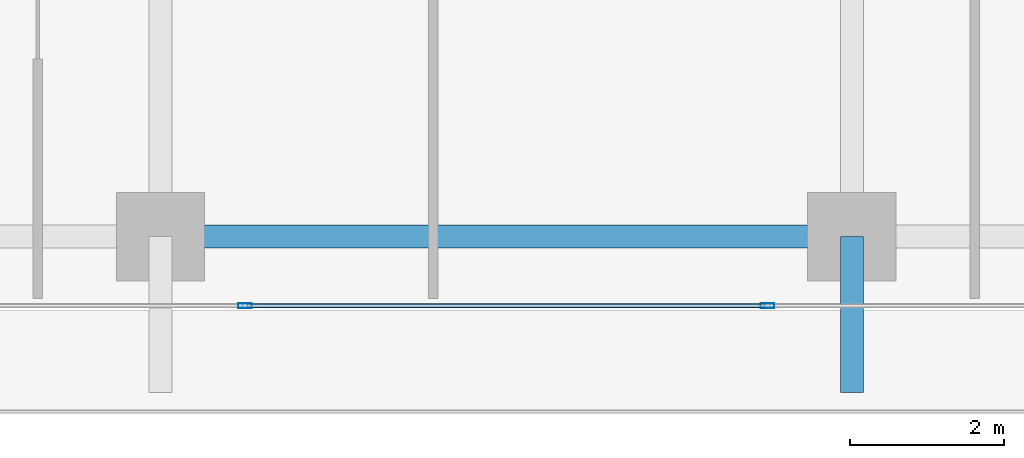
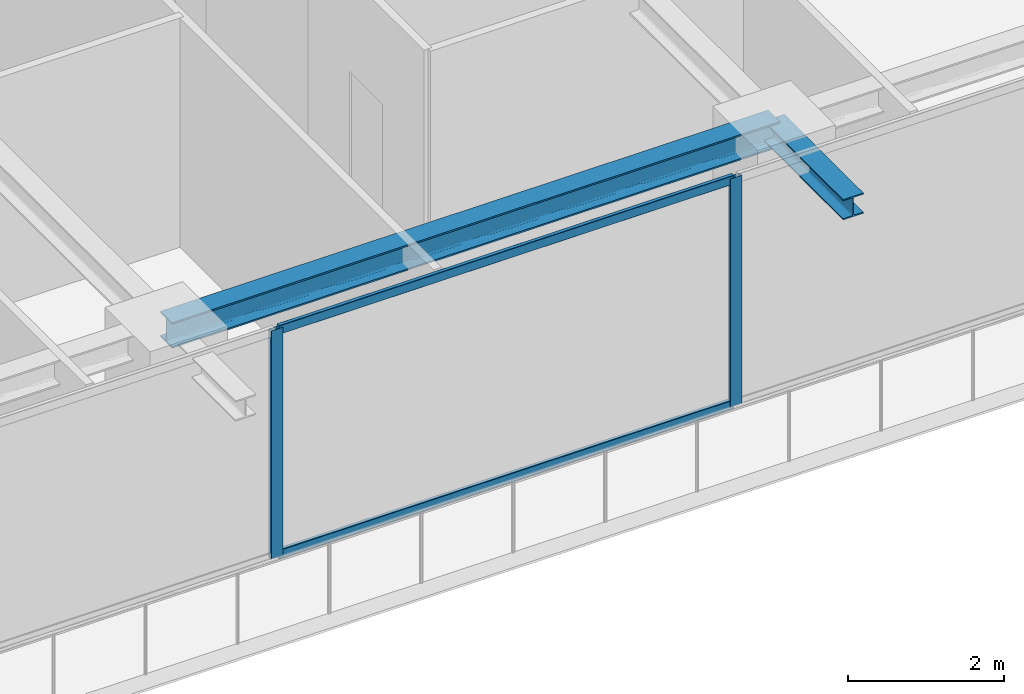
# One storey, part 5 of 37: 4 members, 2 beams, 1 element without a shape of its own.
"""IFC4 building model written with IfcOpenShell, lengths in metres."""

from ifc_helpers import new_model, si_unit, direction, frame, origin, origin_2d, place, context, subcontext, project, spatial, hollow_rectangle, i_section, extrude, source, transform, mapped, material, layer, layer_set, material_profile, profile_set, type_object, element, aggregate, save


model = new_model("IFC4")

# Units and contexts
model_context = context("Model", 3, precision=1e-05, world=origin(), true_north=direction((0.0, 1.0)))
body_context = subcontext(model_context, "Body", "Model", "MODEL_VIEW")
ifc_project = project(units=[si_unit("LENGTHUNIT", "METRE"), si_unit("AREAUNIT", "SQUARE_METRE"), si_unit("VOLUMEUNIT", "CUBIC_METRE"), si_unit("PLANEANGLEUNIT", "RADIAN"), si_unit("MASSUNIT", "GRAM", prefix="KILO")], contexts=[model_context])

# Site, building, storey
site_placement = place(None, origin())
site = spatial("IfcSite", under=ifc_project, at=site_placement, CompositionType="ELEMENT")
building_placement = place(site_placement, origin())
building = spatial("IfcBuilding", under=site, at=building_placement, Name="Serunith Strait Residences", CompositionType="ELEMENT")
storey_placement = place(building_placement, frame((0.0, 0.0, 233.550048828125)))
storey = spatial("IfcBuildingStorey", under=building, at=storey_placement, Name="L58", CompositionType="ELEMENT", Elevation=233.550048828125)

# Beams
ifc_material_1 = material(Name="Steel S355J2", Category="steel")
ifc_material_profile_1 = material_profile(ifc_material_1, i_section(OverallWidth=0.300048828125, OverallDepth=0.39990234375, WebThickness=0.013427734375, FlangeThickness=0.02392578125, FilletRadius=0.027099609375, at=origin_2d()), Name="HEB 400")
ifc_profile_set_1 = profile_set([ifc_material_profile_1], Name="Steel S355J2")
beam_type_1 = type_object("IfcBeamType", Name="BM-HEB400", PredefinedType="BEAM", material=ifc_profile_set_1)
shared_shape_1 = source(origin(), body_context, "Body", "SweptSolid", [
    extrude(i_section(OverallWidth=0.300048828125, OverallDepth=0.39990234375, WebThickness=0.013427734375, FlangeThickness=0.02392578125, FilletRadius=0.027099609375, at=origin_2d()), origin(), (0.0, 0.0, 1.0), 9.0),
])
beam_1_placement = place(storey_placement, frame((27.89990234375, 2.10009765625, 3.386962890625), z_axis=(1.0, 0.0, 0.0), x_axis=(0.0, 1.0, 0.0)))
element("IfcBeam", 1, at=beam_1_placement, inside=storey, type_object=beam_type_1, Name="L58 Perimeter Ring Beam 02", PredefinedType="BEAM", context=body_context, shape_type="MappedRepresentation", body=[
    mapped(shared_shape_1, transform((0.0, 0.0, 0.0), scale=1.0)),
])
ifc_material_profile_2 = material_profile(ifc_material_1, i_section(OverallWidth=0.300048828125, OverallDepth=0.320068359375, WebThickness=0.011474609375, FlangeThickness=0.0205078125, FilletRadius=0.027099609375, at=origin_2d()), Name="HEB 320")
ifc_profile_set_2 = profile_set([ifc_material_profile_2], Name="Steel S355J2")
beam_type_2 = type_object("IfcBeamType", Name="BM-HEB320", PredefinedType="BEAM", material=ifc_profile_set_2)
shared_shape_2 = source(origin(), body_context, "Body", "SweptSolid", [
    extrude(i_section(OverallWidth=0.300048828125, OverallDepth=0.320068359375, WebThickness=0.011474609375, FlangeThickness=0.0205078125, FilletRadius=0.027099609375, at=origin_2d()), origin(), (0.0, 0.0, 1.0), 2.030029296875),
])
beam_2_placement = place(storey_placement, frame((36.89990234375, 2.10009765625, 3.39697265625), z_axis=(0.0, -1.0, 0.0), x_axis=(1.0, 0.0, 0.0)))
element("IfcBeam", 2, at=beam_2_placement, inside=storey, type_object=beam_type_2, Name="L59 Cantilevered Balcony Rib TC-S3", PredefinedType="BEAM", context=body_context, shape_type="MappedRepresentation", body=[
    mapped(shared_shape_2, transform((0.0, 0.0, 0.0), scale=1.0)),
])

# Curtain wall, members
ifc_material_2 = material(Name="Pale-Champagne Anodised Aluminium", Category="aluminium")
ifc_layer = layer(ifc_material_2, 0.199951171875, Name="Pale-Champagne Anodised Aluminium")
ifc_layer_set = layer_set([ifc_layer], Name="Pale-Champagne Anodised Aluminium")
curtain_wall_type = type_object("IfcCurtainWallType", Name="CW-SYS4", PredefinedType="NOTDEFINED", material=ifc_layer_set)
curtain_wall_placement = place(storey_placement, origin())
curtain_wall = element("IfcCurtainWall", 3, at=curtain_wall_placement, inside=storey, type_object=curtain_wall_type, Name="L58 S Unitised Fritted Curtain Wall", PredefinedType="NOTDEFINED")
ifc_material_profile_3 = material_profile(ifc_material_2, hollow_rectangle(XDim=0.06494140625, YDim=0.179931640625, WallThickness=0.00341796875, InnerFilletRadius=0.00537109375, OuterFilletRadius=0.0087890625, at=origin_2d()), Name="ALU 180x65x3.5")
ifc_profile_set_3 = profile_set([ifc_material_profile_3], Name="Pale-Champagne Anodised Aluminium")
member_type_1 = type_object("IfcMemberType", Name="CW-SYS4-MULL", PredefinedType="MULLION", material=ifc_profile_set_3)
shared_shape_3 = source(origin(), body_context, "Body", "SweptSolid", [
    extrude(hollow_rectangle(XDim=0.06494140625, YDim=0.179931640625, WallThickness=0.00341796875, InnerFilletRadius=0.00537109375, OuterFilletRadius=0.0087890625, at=origin_2d()), origin(), (0.0, 0.0, 1.0), 3.574951171875),
])
member_1_placement = place(storey_placement, frame((29.0, 1.199951171875, 0.0), z_axis=(0.0, 0.0, 1.0), x_axis=(0.0, 1.0, 0.0)))
member_1 = element("IfcMember", 4, at=member_1_placement, type_object=member_type_1, Name="CW-4 mullion 3", PredefinedType="MULLION", context=body_context, shape_type="MappedRepresentation", body=[
    mapped(shared_shape_3, transform((0.0, 0.0, 0.0), scale=1.0)),
])
member_2_placement = place(storey_placement, frame((35.800048828125, 1.199951171875, 0.0), z_axis=(0.0, 0.0, 1.0), x_axis=(0.0, 1.0, 0.0)))
member_2 = element("IfcMember", 5, at=member_2_placement, type_object=member_type_1, Name="CW-4 mullion 4", PredefinedType="MULLION", context=body_context, shape_type="MappedRepresentation", body=[
    mapped(shared_shape_3, transform((0.0, 0.0, 0.0), scale=1.0)),
])
ifc_material_profile_4 = material_profile(ifc_material_2, hollow_rectangle(XDim=0.06005859375, YDim=0.139892578125, WallThickness=0.00341796875, InnerFilletRadius=0.00537109375, OuterFilletRadius=0.0087890625, at=origin_2d()), Name="ALU 140x60x3.5")
ifc_profile_set_4 = profile_set([ifc_material_profile_4], Name="Pale-Champagne Anodised Aluminium")
member_type_2 = type_object("IfcMemberType", Name="CW-SYS4-TRAN", PredefinedType="USERDEFINED", material=ifc_profile_set_4)
shared_shape_4 = source(origin(), body_context, "Body", "SweptSolid", [
    extrude(hollow_rectangle(XDim=0.06005859375, YDim=0.139892578125, WallThickness=0.00341796875, InnerFilletRadius=0.00537109375, OuterFilletRadius=0.0087890625, at=origin_2d()), origin(), (0.0, 0.0, 1.0), 6.735107421875),
])
member_3_placement = place(storey_placement, frame((29.032470703125, 1.199951171875, 0.030029296875), z_axis=(1.0, 0.0, 0.0), x_axis=(0.0, 1.0, 0.0)))
member_3 = element("IfcMember", 6, at=member_3_placement, type_object=member_type_2, Name="CW-4 transom 3.1", ObjectType="TRANSOM", PredefinedType="USERDEFINED", context=body_context, shape_type="MappedRepresentation", body=[
    mapped(shared_shape_4, transform((0.0, 0.0, 0.0), scale=1.0)),
])
member_4_placement = place(storey_placement, frame((29.032470703125, 1.199951171875, 3.544921875), z_axis=(1.0, 0.0, 0.0), x_axis=(0.0, 1.0, 0.0)))
member_4 = element("IfcMember", 7, at=member_4_placement, type_object=member_type_2, Name="CW-4 transom 3.2", ObjectType="TRANSOM", PredefinedType="USERDEFINED", context=body_context, shape_type="MappedRepresentation", body=[
    mapped(shared_shape_4, transform((0.0, 0.0, 0.0), scale=1.0)),
])
aggregate(curtain_wall, [member_1, member_2, member_3, member_4])

save(model, "model.ifc")
